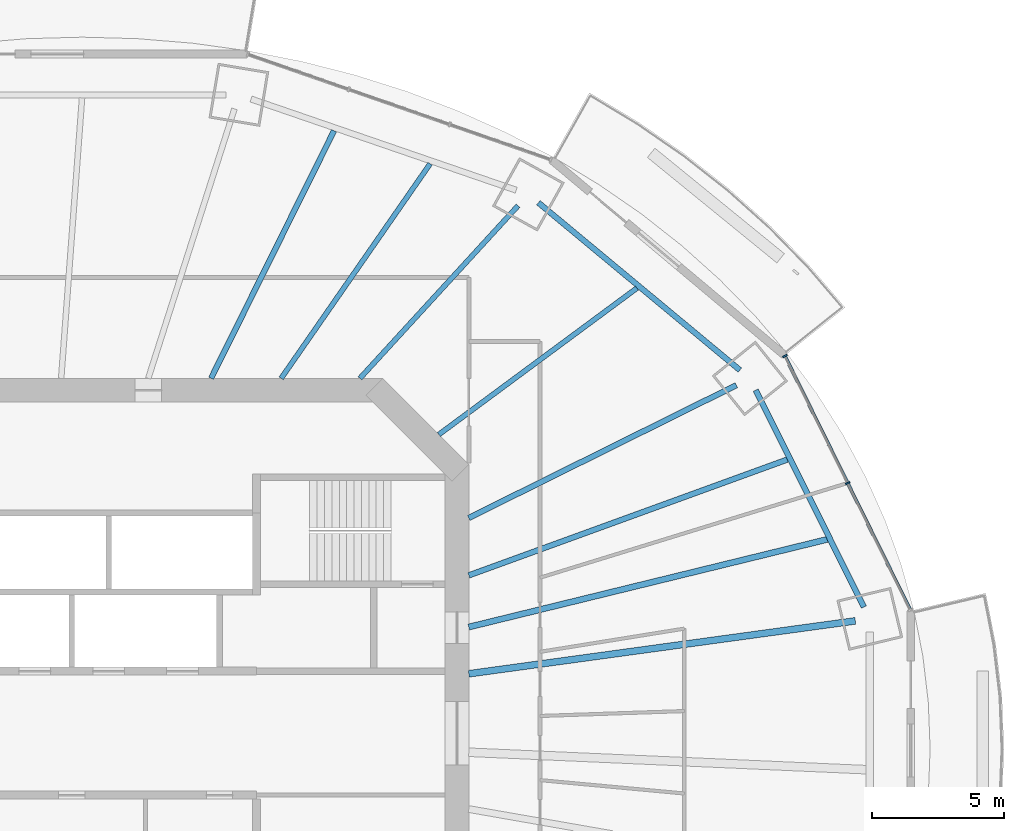
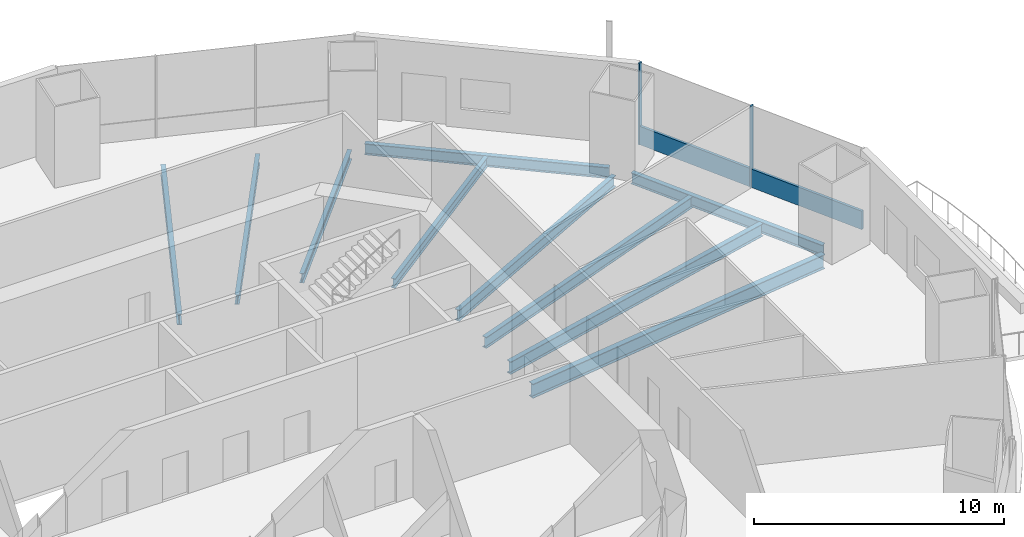
# One storey, part 7 of 20: 10 beams, 3 members, 1 element without a shape of its own.
"""IFC4 building model written with IfcOpenShell, lengths in metres."""

from ifc_helpers import new_model, si_unit, direction, frame, origin, origin_2d, place, context, subcontext, project, spatial, rectangle, i_section, extrude, material, material_profile, profile_set, type_object, element, aggregate, save


model = new_model("IFC4")

# Units and contexts
model_context = context("Model", 3, precision=1e-05, world=origin(), true_north=direction((0.0, 1.0)))
body_context = subcontext(model_context, "Body", "Model", "MODEL_VIEW")
ifc_project = project(units=[si_unit("LENGTHUNIT", "METRE"), si_unit("AREAUNIT", "SQUARE_METRE"), si_unit("VOLUMEUNIT", "CUBIC_METRE"), si_unit("PLANEANGLEUNIT", "RADIAN"), si_unit("MASSUNIT", "GRAM", prefix="KILO")], contexts=[model_context])

# Site, building, storey
site_placement = place(None, origin())
site = spatial("IfcSite", under=ifc_project, at=site_placement, CompositionType="ELEMENT")
building_placement = place(site_placement, origin())
building = spatial("IfcBuilding", under=site, at=building_placement, Name="Marenthal Gate Tower", CompositionType="ELEMENT")
storey_placement = place(building_placement, frame((0.0, 0.0, 185.949951171875)))
storey = spatial("IfcBuildingStorey", under=building, at=storey_placement, Name="L40", CompositionType="ELEMENT", Elevation=185.949951171875)

# Curtain wall, members
ifc_material_1 = material(Name="Aluminium and glass", Category="aluminium")
curtain_wall_type = type_object("IfcCurtainWallType", Name="Curtain wall typical mid", PredefinedType="NOTDEFINED", material=ifc_material_1)
curtain_wall_placement = place(storey_placement, origin())
curtain_wall = element("IfcCurtainWall", 1, at=curtain_wall_placement, inside=storey, type_object=curtain_wall_type, Name="Curtain wall L40 bay 1", PredefinedType="NOTDEFINED")
ifc_material_2 = material(Name="Aluminium", Category="aluminium")
ifc_material_profile_1 = material_profile(ifc_material_2, rectangle(XDim=0.179931640625, YDim=0.06005859375, at=origin_2d()), Name="60x180 aluminium mullion")
ifc_profile_set_1 = profile_set([ifc_material_profile_1], Name="Aluminium")
member_type_1 = type_object("IfcMemberType", Name="Mullion 60x180 typical mid", PredefinedType="MULLION", material=ifc_profile_set_1)
member_1_placement = place(storey_placement, frame((30.8095703125, 9.481689453125, 0.0), z_axis=(0.0, 0.0, 1.0), x_axis=(-0.896680826174, -0.442677643406, 0.0)))
member_1 = element("IfcMember", 2, at=member_1_placement, type_object=member_type_1, Name="Mullion L40 bay 1.2", PredefinedType="MULLION", context=body_context, shape_type="SweptSolid", body=[
    extrude(rectangle(XDim=0.179931640625, YDim=0.06005859375, at=origin_2d()), origin(), (0.0, 0.0, 1.0), 3.969970703125),
])
member_2_placement = place(storey_placement, frame((28.432861328125, 14.29638671875, 0.0), z_axis=(0.0, 0.0, 1.0), x_axis=(-0.896680826174, -0.442677643406, 0.0)))
member_2 = element("IfcMember", 3, at=member_2_placement, type_object=member_type_1, Name="Mullion L40 bay 1.3", PredefinedType="MULLION", context=body_context, shape_type="SweptSolid", body=[
    extrude(rectangle(XDim=0.179931640625, YDim=0.06005859375, at=origin_2d()), origin(), (0.0, 0.0, 1.0), 3.969970703125),
])
ifc_material_3 = material(Name="Aluminium", Category="aluminium")
ifc_material_profile_2 = material_profile(ifc_material_3, rectangle(XDim=0.1201171875, YDim=0.89990234375, at=origin_2d()), Name="120x900 aluminium transom")
ifc_profile_set_2 = profile_set([ifc_material_profile_2], Name="Aluminium")
member_type_2 = type_object("IfcMemberType", Name="Transom 120x900 typical mid", PredefinedType="USERDEFINED", material=ifc_profile_set_2)
member_3_placement = place(storey_placement, frame((33.17333984375, 4.694091796875, 0.449951171875), z_axis=(-0.442690223778, 0.896674615327, 0.0), x_axis=(-0.896674615327, -0.442690223778, 0.0)))
member_3 = element("IfcMember", 4, at=member_3_placement, type_object=member_type_2, Name="Transom L40 bay 1", ObjectType="TRANSOM", PredefinedType="USERDEFINED", context=body_context, shape_type="SweptSolid", body=[
    extrude(rectangle(XDim=0.1201171875, YDim=0.89990234375, at=origin_2d()), origin(), (0.0, 0.0, 1.0), 10.678466796875),
])
aggregate(curtain_wall, [member_1, member_2, member_3])

# Beams
ifc_material_4 = material(Name="Steel S355", Category="steel")
ifc_material_profile_3 = material_profile(ifc_material_4, i_section(OverallWidth=0.193115234375, OverallDepth=0.467041015625, WebThickness=0.011474609375, FlangeThickness=0.01904296875, FilletRadius=0.010009765625, at=origin_2d()), Name="W460X97")
ifc_profile_set_3 = profile_set([ifc_material_profile_3], Name="Steel S355")
beam_type_1 = type_object("IfcBeamType", Name="W460X97 beam", PredefinedType="BEAM", material=ifc_profile_set_3)
beam_1_placement = place(storey_placement, frame((18.317138671875, 19.992919921875, -0.413330078125), z_axis=(-0.675535239039, -0.737327702461, 0.0), x_axis=(0.737327702461, -0.675535239039, 0.0)))
element("IfcBeam", 5, at=beam_1_placement, inside=storey, type_object=beam_type_1, Name="BM-L40-03", PredefinedType="BEAM", context=body_context, shape_type="SweptSolid", body=[
    extrude(i_section(OverallWidth=0.193115234375, OverallDepth=0.467041015625, WebThickness=0.011474609375, FlangeThickness=0.01904296875, FilletRadius=0.010009765625, at=origin_2d()), origin(), (0.0, 0.0, 1.0), 8.873779296875),
])
beam_2_placement = place(storey_placement, frame((22.819580078125, 16.867919921875, -0.413330078125), z_axis=(-0.804159285788, -0.594413865149, 0.0), x_axis=(0.594413865149, -0.804159285788, 0.0)))
element("IfcBeam", 6, at=beam_2_placement, inside=storey, type_object=beam_type_1, Name="BM-L40-19", PredefinedType="BEAM", context=body_context, shape_type="SweptSolid", body=[
    extrude(i_section(OverallWidth=0.193115234375, OverallDepth=0.467041015625, WebThickness=0.011474609375, FlangeThickness=0.01904296875, FilletRadius=0.010009765625, at=origin_2d()), origin(), (0.0, 0.0, 1.0), 9.331787109375),
])
beam_3_placement = place(storey_placement, frame((14.98388671875, 21.5810546875, -0.413330078125), z_axis=(-0.57032139263, -0.821421639056, 0.0), x_axis=(0.821421639056, -0.57032139263, 0.0)))
element("IfcBeam", 7, at=beam_3_placement, inside=storey, type_object=beam_type_1, Name="BM-L40-20", PredefinedType="BEAM", context=body_context, shape_type="SweptSolid", body=[
    extrude(i_section(OverallWidth=0.193115234375, OverallDepth=0.467041015625, WebThickness=0.011474609375, FlangeThickness=0.01904296875, FilletRadius=0.010009765625, at=origin_2d()), origin(), (0.0, 0.0, 1.0), 9.89892578125),
])
ifc_material_5 = material(Name="Steel S355", Category="steel")
ifc_material_profile_4 = material_profile(ifc_material_5, i_section(OverallWidth=0.2099609375, OverallDepth=0.535888671875, WebThickness=0.010986328125, FlangeThickness=0.017333984375, FilletRadius=0.0126953125, at=origin_2d()), Name="W530X101")
ifc_profile_set_4 = profile_set([ifc_material_profile_4], Name="Steel S355")
beam_type_2 = type_object("IfcBeamType", Name="W530X101 beam", PredefinedType="BEAM", material=ifc_profile_set_4)
beam_4_placement = place(storey_placement, frame((11.34326171875, 22.83349609375, -0.447998046875), z_axis=(-0.444909971834, -0.895575299437, 0.0), x_axis=(0.895575299437, -0.444909971834, 0.0)))
element("IfcBeam", 8, at=beam_4_placement, inside=storey, type_object=beam_type_2, Name="BM-L40-21", PredefinedType="BEAM", context=body_context, shape_type="SweptSolid", body=[
    extrude(i_section(OverallWidth=0.2099609375, OverallDepth=0.535888671875, WebThickness=0.010986328125, FlangeThickness=0.017333984375, FilletRadius=0.0126953125, at=origin_2d()), origin(), (0.0, 0.0, 1.0), 10.477783203125),
])
ifc_material_6 = material(Name="Steel S355", Category="steel")
ifc_material_profile_5 = material_profile(ifc_material_6, i_section(OverallWidth=0.2119140625, OverallDepth=0.5439453125, WebThickness=0.01318359375, FlangeThickness=0.021240234375, FilletRadius=0.0126953125, at=origin_2d()), Name="W530X123")
ifc_profile_set_5 = profile_set([ifc_material_profile_5], Name="Steel S355")
beam_type_3 = type_object("IfcBeamType", Name="W530X123 beam", PredefinedType="BEAM", material=ifc_profile_set_5)
beam_5_placement = place(storey_placement, frame((26.590576171875, 13.189697265625, -0.451904296875), z_axis=(-0.895854730094, -0.44434705194, 0.0), x_axis=(0.44434705194, -0.895854730094, 0.0)))
element("IfcBeam", 9, at=beam_5_placement, inside=storey, type_object=beam_type_3, Name="BM-L40-02", PredefinedType="BEAM", context=body_context, shape_type="SweptSolid", body=[
    extrude(i_section(OverallWidth=0.2119140625, OverallDepth=0.5439453125, WebThickness=0.01318359375, FlangeThickness=0.021240234375, FilletRadius=0.0126953125, at=origin_2d()), origin(), (0.0, 0.0, 1.0), 11.319580078125),
])
beam_6_placement = place(storey_placement, frame((28.520263671875, 10.37109375, -0.451904296875), z_axis=(-0.939794533486, -0.341740010579, 0.0), x_axis=(0.341740010579, -0.939794533486, 0.0)))
element("IfcBeam", 10, at=beam_6_placement, inside=storey, type_object=beam_type_3, Name="BM-L40-18", PredefinedType="BEAM", context=body_context, shape_type="SweptSolid", body=[
    extrude(i_section(OverallWidth=0.2119140625, OverallDepth=0.5439453125, WebThickness=0.01318359375, FlangeThickness=0.021240234375, FilletRadius=0.0126953125, at=origin_2d()), origin(), (0.0, 0.0, 1.0), 12.843505859375),
])
beam_7_placement = place(storey_placement, frame((31.4267578125, 4.7802734375, -0.451904296875), z_axis=(-0.446267064466, 0.894899830804, 0.0), x_axis=(-0.894899830804, -0.446267064466, 0.0)))
element("IfcBeam", 11, at=beam_7_placement, inside=storey, type_object=beam_type_3, Name="BM-L40-41", PredefinedType="BEAM", context=body_context, shape_type="SweptSolid", body=[
    extrude(i_section(OverallWidth=0.2119140625, OverallDepth=0.5439453125, WebThickness=0.01318359375, FlangeThickness=0.021240234375, FilletRadius=0.0126953125, at=origin_2d()), origin(), (0.0, 0.0, 1.0), 9.184814453125),
])
beam_8_placement = place(storey_placement, frame((26.72509765625, 13.76171875, -0.451904296875), z_axis=(-0.769236112246, 0.638964634089, 0.0), x_axis=(-0.638964634089, -0.769236112246, 0.0)))
element("IfcBeam", 12, at=beam_8_placement, inside=storey, type_object=beam_type_3, Name="BM-L40-42", PredefinedType="BEAM", context=body_context, shape_type="SweptSolid", body=[
    extrude(i_section(OverallWidth=0.2119140625, OverallDepth=0.5439453125, WebThickness=0.01318359375, FlangeThickness=0.021240234375, FilletRadius=0.0126953125, at=origin_2d()), origin(), (0.0, 0.0, 1.0), 9.928955078125),
])
ifc_material_7 = material(Name="Steel S355", Category="steel")
ifc_material_profile_6 = material_profile(ifc_material_7, i_section(OverallWidth=0.22900390625, OverallDepth=0.612060546875, WebThickness=0.011962890625, FlangeThickness=0.01953125, FilletRadius=0.0126953125, at=origin_2d()), Name="W610X125")
ifc_profile_set_6 = profile_set([ifc_material_profile_6], Name="Steel S355")
beam_type_4 = type_object("IfcBeamType", Name="W610X125 beam", PredefinedType="BEAM", material=ifc_profile_set_6)
beam_9_placement = place(storey_placement, frame((30.02978515625, 7.343994140625, -0.48583984375), z_axis=(-0.971373757829, -0.237556356683, 0.0), x_axis=(0.237556356683, -0.971373757829, 0.0)))
element("IfcBeam", 13, at=beam_9_placement, inside=storey, type_object=beam_type_4, Name="BM-L40-17", PredefinedType="BEAM", context=body_context, shape_type="SweptSolid", body=[
    extrude(i_section(OverallWidth=0.22900390625, OverallDepth=0.612060546875, WebThickness=0.011962890625, FlangeThickness=0.01953125, FilletRadius=0.0126953125, at=origin_2d()), origin(), (0.0, 0.0, 1.0), 13.97998046875),
])
ifc_material_8 = material(Name="Steel S355", Category="steel")
ifc_material_profile_7 = material_profile(ifc_material_8, i_section(OverallWidth=0.257080078125, OverallDepth=0.693115234375, WebThickness=0.014404296875, FlangeThickness=0.023681640625, FilletRadius=0.015380859375, at=origin_2d()), Name="W690X170")
ifc_profile_set_7 = profile_set([ifc_material_profile_7], Name="Steel S355")
beam_type_5 = type_object("IfcBeamType", Name="W690X170 beam", PredefinedType="BEAM", material=ifc_profile_set_7)
beam_10_placement = place(storey_placement, frame((31.10009765625, 4.2568359375, -0.5263671875), z_axis=(-0.990763233443, -0.13560315357, 0.0), x_axis=(0.13560315357, -0.990763233443, 0.0)))
element("IfcBeam", 14, at=beam_10_placement, inside=storey, type_object=beam_type_5, Name="BM-L40-01", PredefinedType="BEAM", context=body_context, shape_type="SweptSolid", body=[
    extrude(i_section(OverallWidth=0.257080078125, OverallDepth=0.693115234375, WebThickness=0.014404296875, FlangeThickness=0.023681640625, FilletRadius=0.015380859375, at=origin_2d()), origin(), (0.0, 0.0, 1.0), 14.78662109375),
])

save(model, "model.ifc")
